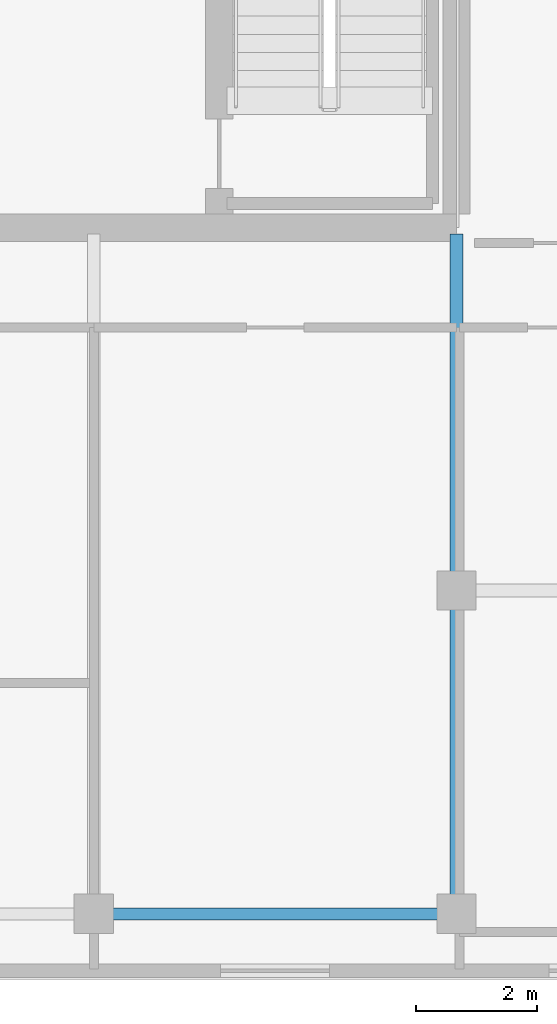
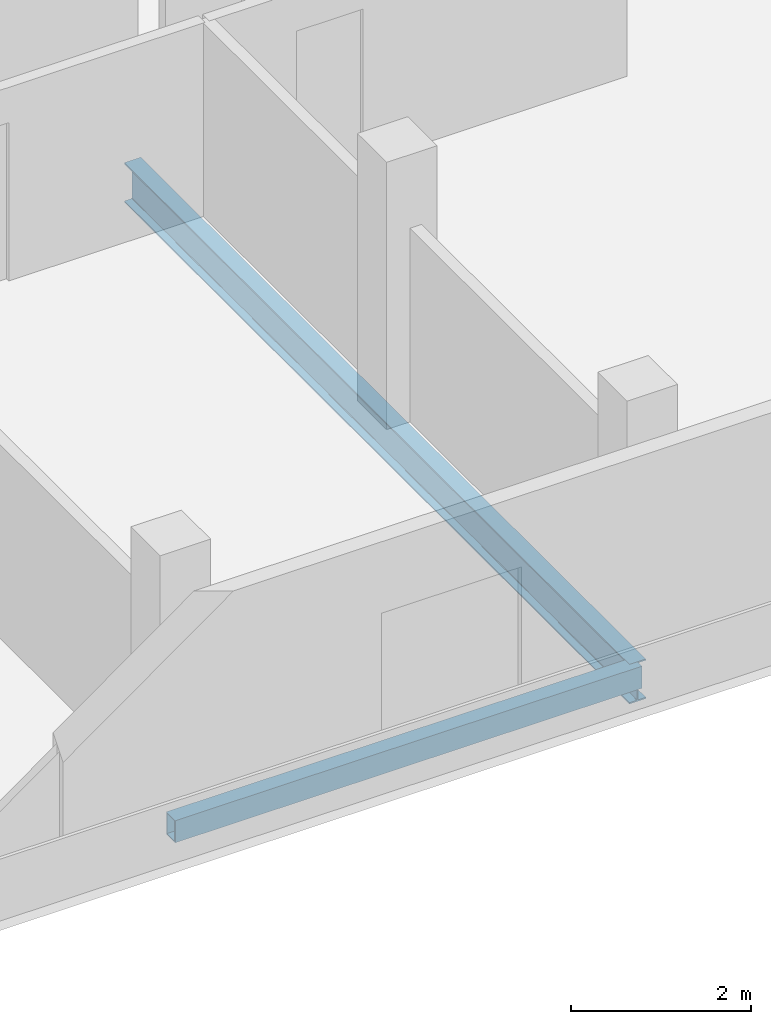
# One storey, part 15 of 28: 2 beams.
"""IFC4 building model written with IfcOpenShell, lengths in metres."""

import ifcopenshell
import ifcopenshell.guid

model = None  # the IFC model being written
_history = None  # IfcOwnerHistory: only IFC2X3 demands one
_inside = {}  # id of a spatial element -> (the spatial element, [elements in it])
_under = {}  # id of a project, library or spatial element -> (it, [spatial elements below it])
_declared = {}  # id of a project -> (the project, [libraries it declares])
_typed = {}  # id of a type object -> (the type object, [elements of that type])
_made_of = {}  # id of a material, layer set ... -> (it, [elements and type objects made of it])


def new_model(schema):
    """Start an empty IFC model of exactly this schema.

    Asked for "IFC4X3", IfcOpenShell would pick the latest addendum, in which some entities
    have other attributes; the version numbers below select the first issue.
    IFC2X3 requires an IfcOwnerHistory on every rooted entity: one is made here for all.
    """
    global model, _history
    if schema == "IFC4X3":
        model = ifcopenshell.file(schema_version=(4, 3, 0, 0))
    else:
        model = ifcopenshell.file(schema=schema)
    _inside.clear()
    _under.clear()
    _declared.clear()
    _typed.clear()
    _made_of.clear()
    _history = None
    if model.schema == "IFC2X3":
        org = make("IfcOrganization", Name="unknown")
        user = make(
            "IfcPersonAndOrganization",
            ThePerson=make("IfcPerson", FamilyName="unknown"),
            TheOrganization=org,
        )
        app = make(
            "IfcApplication",
            ApplicationDeveloper=org,
            Version="unknown",
            ApplicationFullName="unknown",
            ApplicationIdentifier="unknown",
        )
        _history = make(
            "IfcOwnerHistory",
            OwningUser=user,
            OwningApplication=app,
            ChangeAction="ADDED",
            CreationDate=0,
        )
    return model


def make(cls, **values):
    """One entity of the class cls with the attributes given. An attribute that is None is left unset."""
    return model.create_entity(
        cls, **{name: value for name, value in values.items() if value is not None}
    )


def rooted(cls, **values):
    """An entity with a GlobalId (a new one), such as an element, a storey or a relation."""
    return make(cls, GlobalId=ifcopenshell.guid.new(), OwnerHistory=_history, **values)


def si_unit(unit_type, name, prefix=None):
    """IfcSIUnit, for example si_unit("LENGTHUNIT", "METRE", prefix="MILLI")."""
    return make("IfcSIUnit", UnitType=unit_type, Prefix=prefix, Name=name)


def assignment(units):
    """IfcUnitAssignment: the units of a project."""
    return None if units is None else make("IfcUnitAssignment", Units=units)


def point(xyz):
    """IfcCartesianPoint."""
    return None if xyz is None else make("IfcCartesianPoint", Coordinates=xyz)


def direction(xyz):
    """IfcDirection."""
    return None if xyz is None else make("IfcDirection", DirectionRatios=xyz)


def frame(location, z_axis=None, x_axis=None):
    """IfcAxis2Placement3D, a coordinate frame: its origin and axes. An axis left out is left unset."""
    return make(
        "IfcAxis2Placement3D",
        Location=point(location),
        Axis=direction(z_axis),
        RefDirection=direction(x_axis),
    )


def frame_2d(location, x_axis=None):
    """IfcAxis2Placement2D, a coordinate frame in the plane: its origin and x axis."""
    return make(
        "IfcAxis2Placement2D", Location=point(location), RefDirection=direction(x_axis)
    )


def origin():
    """The frame at (0, 0, 0) with its axes left unset."""
    return frame((0.0, 0.0, 0.0))


def origin_2d():
    """The frame at (0, 0) in the plane with its x axis left unset."""
    return frame_2d((0.0, 0.0))


def place(relative_to, where):
    """IfcLocalPlacement: puts the frame where relative to a parent placement (None: the world)."""
    return make(
        "IfcLocalPlacement", PlacementRelTo=relative_to, RelativePlacement=where
    )


def context(
    kind, dimensions, precision=None, world=None, true_north=None, identifier=None
):
    """IfcGeometricRepresentationContext, for example the 3D "Model" context."""
    return make(
        "IfcGeometricRepresentationContext",
        ContextIdentifier=identifier,
        ContextType=kind,
        CoordinateSpaceDimension=dimensions,
        Precision=precision,
        WorldCoordinateSystem=world,
        TrueNorth=true_north,
    )


def subcontext(parent, identifier, kind, view, scale=None):
    """IfcGeometricRepresentationSubContext, for example "Body" below "Model"."""
    return make(
        "IfcGeometricRepresentationSubContext",
        ContextIdentifier=identifier,
        ContextType=kind,
        ParentContext=parent,
        TargetScale=scale,
        TargetView=view,
    )


def project(units=None, contexts=None):
    """IfcProject with its units and contexts."""
    return rooted(
        "IfcProject",
        Name="project",
        RepresentationContexts=contexts,
        UnitsInContext=assignment(units),
    )


def spatial(cls, under=None, at=None, **own):
    """A site, building, storey or space (cls), placed at a placement, below another one or the project."""
    s = rooted(cls, ObjectPlacement=at, **own)
    if under is not None:
        _under.setdefault(under.id(), (under, []))[1].append(s)
    return s


def profile(cls, at=None, kind="AREA", **sizes):
    """A parametric profile (cls). Its sizes go by their IFC names, for example OverallWidth=200.0."""
    return make(cls, ProfileType=kind, Position=at, **sizes)


def hollow_rectangle(**sizes):
    """IfcRectangleHollowProfileDef."""
    return profile("IfcRectangleHollowProfileDef", **sizes)


def i_section(**sizes):
    """IfcIShapeProfileDef."""
    return profile("IfcIShapeProfileDef", **sizes)


def extrude(swept, where, along, depth):
    """IfcExtrudedAreaSolid: the profile swept, set in the frame where, extruded along a direction by depth."""
    return make(
        "IfcExtrudedAreaSolid",
        SweptArea=swept,
        Position=where,
        ExtrudedDirection=direction(along),
        Depth=depth,
    )


def shape(context_of_items, identifier, shape_type, items):
    """IfcShapeRepresentation: the items that make up one representation, for example the "Body"."""
    return make(
        "IfcShapeRepresentation",
        ContextOfItems=context_of_items,
        RepresentationIdentifier=identifier,
        RepresentationType=shape_type,
        Items=items,
    )


def material(Name=None, Category=None):
    """IfcMaterial."""
    return make("IfcMaterial", Name=Name, Category=Category)


def material_profile(
    of_material, cross_section, Name=None, Category=None, Priority=None
):
    """IfcMaterialProfile: a cross section and its material."""
    return make(
        "IfcMaterialProfile",
        Name=Name,
        Material=of_material,
        Profile=cross_section,
        Priority=Priority,
        Category=Category,
    )


def profile_set(profiles, Name=None, composite=None):
    """IfcMaterialProfileSet."""
    return make(
        "IfcMaterialProfileSet",
        Name=Name,
        MaterialProfiles=profiles,
        CompositeProfile=composite,
    )


def made_of(thing, what):
    """Note that an element or type object is made of a material, layer set ...; save() writes the relation."""
    if what is not None:
        _made_of.setdefault(what.id(), (what, []))[1].append(thing)
    return thing


def type_object(cls, material=None, **own):
    """A type object (cls), such as IfcWallType, which elements share."""
    return made_of(rooted(cls, **own), material)


def element(
    cls,
    number,
    at=None,
    inside=None,
    cuts=None,
    type_object=None,
    material=None,
    context=None,
    identifier="Body",
    shape_type=None,
    held_by="IfcProductDefinitionShape",
    body=None,
    shapes=None,
    **own,
):
    """One element of the class cls, such as IfcWall. Its Tag is "e" and its number.

    at: its placement. inside: the storey or other place that contains it. cuts: it is an
    opening in that element (IfcRelVoidsElement). A single representation is given by context,
    identifier, shape_type and body (its items); several are given by shapes. held_by: the class
    of the entity that holds the representations. save() writes the other relations.
    """
    e = rooted(cls, Tag="e%d" % number, ObjectPlacement=at, **own)
    if body is not None:
        shapes = [shape(context, identifier, shape_type, body)]
    if shapes is not None:
        e.Representation = make(held_by, Representations=shapes)
    if inside is not None:
        _inside.setdefault(inside.id(), (inside, []))[1].append(e)
    if cuts is not None:
        rooted(
            "IfcRelVoidsElement", RelatingBuildingElement=cuts, RelatedOpeningElement=e
        )
    if type_object is not None:
        _typed.setdefault(type_object.id(), (type_object, []))[1].append(e)
    return made_of(e, material)


def aggregate(whole, parts):
    """IfcRelAggregates: a whole, such as a stair, and the parts it consists of."""
    return rooted("IfcRelAggregates", RelatingObject=whole, RelatedObjects=parts)


def save(model, path):
    """Write the relations noted so far, then the file.

    IfcRelAggregates (storeys below a building ...), IfcRelContainedInSpatialStructure (elements
    in a storey), IfcRelDefinesByType, IfcRelAssociatesMaterial and IfcRelDeclares: one each for
    every whole, place, type object, material and project.
    """
    for whole, parts in _under.values():
        aggregate(whole, parts)
    for where, things in _inside.values():
        rooted(
            "IfcRelContainedInSpatialStructure",
            RelatedElements=things,
            RelatingStructure=where,
        )
    for kind, things in _typed.values():
        rooted("IfcRelDefinesByType", RelatedObjects=things, RelatingType=kind)
    for what, things in _made_of.values():
        rooted("IfcRelAssociatesMaterial", RelatedObjects=things, RelatingMaterial=what)
    for by, libraries in _declared.values():
        rooted("IfcRelDeclares", RelatingContext=by, RelatedDefinitions=libraries)
    model.write(path)


model = new_model("IFC4")

# Units and contexts
model_context = context("Model", 3, precision=1e-05, world=origin(), true_north=direction((0.0, 1.0)))
body_context = subcontext(model_context, "Body", "Model", "MODEL_VIEW")
ifc_project = project(units=[si_unit("LENGTHUNIT", "METRE"), si_unit("AREAUNIT", "SQUARE_METRE"), si_unit("VOLUMEUNIT", "CUBIC_METRE"), si_unit("PLANEANGLEUNIT", "RADIAN"), si_unit("MASSUNIT", "GRAM", prefix="KILO")], contexts=[model_context])

# Site, building, storey
site_placement = place(None, origin())
site = spatial("IfcSite", under=ifc_project, at=site_placement, CompositionType="ELEMENT")
building_placement = place(site_placement, origin())
building = spatial("IfcBuilding", under=site, at=building_placement, Name="Tanjung Sevakor Pilgrim Tower", CompositionType="ELEMENT")
storey_placement = place(building_placement, frame((0.0, 0.0, 249.81005859375)))
storey = spatial("IfcBuildingStorey", under=building, at=storey_placement, Name="L70", CompositionType="ELEMENT", Elevation=249.81005859375)

# Beams
ifc_material_1 = material(Name="Steel S355J2", Category="steel")
ifc_material_profile_1 = material_profile(ifc_material_1, i_section(OverallWidth=0.210693359375, OverallDepth=0.53955078125, WebThickness=0.01171875, FlangeThickness=0.018798828125, FilletRadius=0.0126953125, at=origin_2d()))
ifc_profile_set_1 = profile_set([ifc_material_profile_1], Name="Steel S355J2")
beam_type_1 = type_object("IfcBeamType", Name="BM-B-G6-UB_533x210x109", PredefinedType="BEAM", material=ifc_profile_set_1)
beam_1_placement = place(storey_placement, frame((90.0, 13.25, -0.48974609375), z_axis=(0.0, 1.0, 0.0), x_axis=(-1.0, 0.0, 0.0)))
element("IfcBeam", 1, at=beam_1_placement, inside=storey, type_object=beam_type_1, Name="L70 EAST Girder 009", PredefinedType="BEAM", context=body_context, shape_type="SweptSolid", body=[
    extrude(i_section(OverallWidth=0.210693359375, OverallDepth=0.53955078125, WebThickness=0.01171875, FlangeThickness=0.018798828125, FilletRadius=0.0126953125, at=origin_2d()), origin(), (0.0, 0.0, 1.0), 11.243896484375),
])
ifc_material_2 = material(Name="Steel S355J2", Category="steel")
ifc_material_profile_2 = material_profile(ifc_material_2, hollow_rectangle(XDim=0.199951171875, YDim=0.300048828125, WallThickness=0.012451171875, at=origin_2d()))
ifc_profile_set_2 = profile_set([ifc_material_profile_2], Name="Steel S355J2")
beam_type_2 = type_object("IfcBeamType", Name="BM-B-SP3-RHS_300x200x12.5", PredefinedType="SPANDREL", material=ifc_profile_set_2)
beam_2_placement = place(storey_placement, frame((84.0, 13.25, -0.3701171875), z_axis=(1.0, 0.0, 0.0), x_axis=(0.0, 1.0, 0.0)))
element("IfcBeam", 2, at=beam_2_placement, inside=storey, type_object=beam_type_2, Name="L70 Spandrel EAST S-05", PredefinedType="SPANDREL", context=body_context, shape_type="SweptSolid", body=[
    extrude(hollow_rectangle(XDim=0.199951171875, YDim=0.300048828125, WallThickness=0.012451171875, at=origin_2d()), origin(), (0.0, 0.0, 1.0), 6.0),
])

save(model, "model.ifc")
